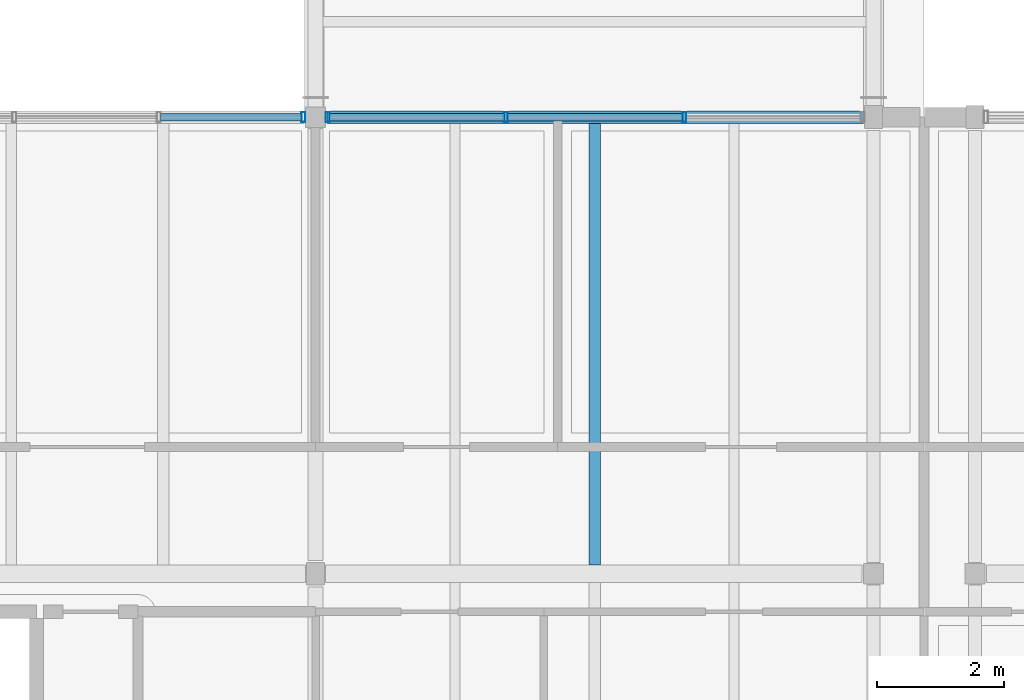
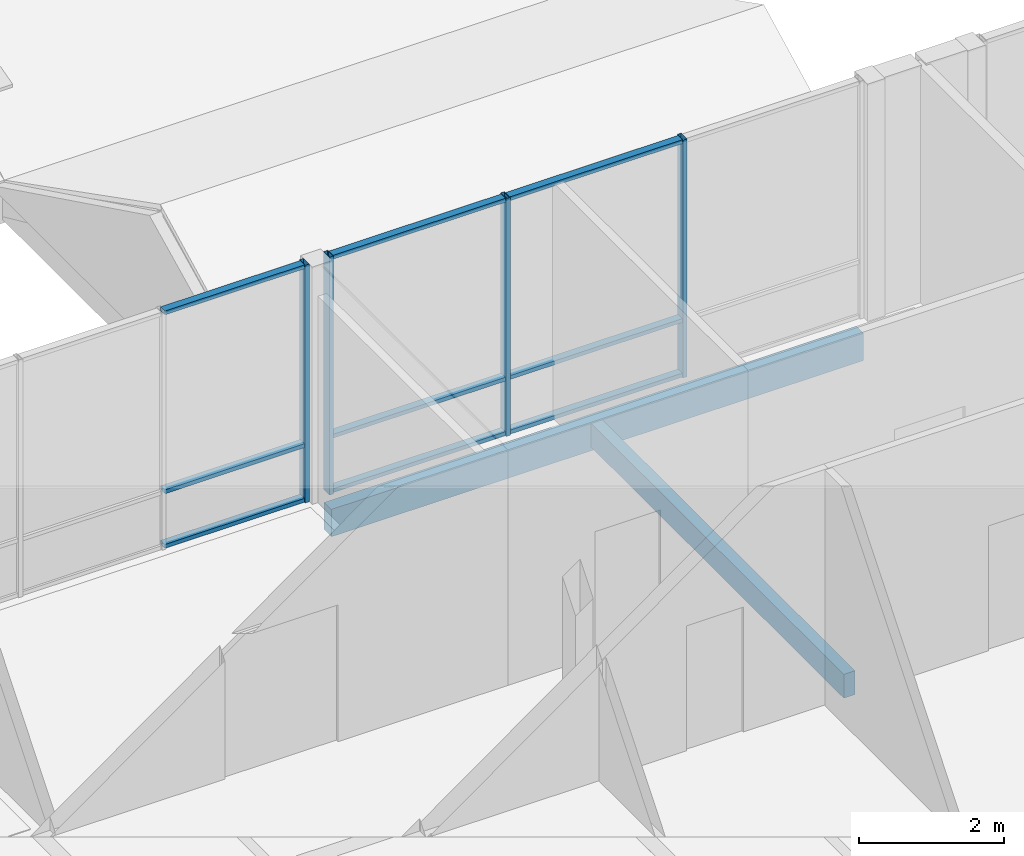
# One storey, part 18 of 115: 13 members, 2 beams, 2 elements without a shape of their own.
"""IFC4 building model written with IfcOpenShell, lengths in metres."""

from ifc_helpers import new_model, si_unit, direction, frame, origin, origin_2d, place, context, subcontext, project, spatial, rectangle, hollow_rectangle, extrude, material, material_profile, profile_set, type_object, element, aggregate, save


model = new_model("IFC4")

# Units and contexts
model_context = context("Model", 3, precision=1e-05, world=origin(), true_north=direction((0.0, 1.0)))
body_context = subcontext(model_context, "Body", "Model", "MODEL_VIEW")
ifc_project = project(units=[si_unit("LENGTHUNIT", "METRE"), si_unit("AREAUNIT", "SQUARE_METRE"), si_unit("VOLUMEUNIT", "CUBIC_METRE"), si_unit("PLANEANGLEUNIT", "RADIAN"), si_unit("MASSUNIT", "GRAM", prefix="KILO")], contexts=[model_context])

# Site, building, storey
site_placement = place(None, origin())
site = spatial("IfcSite", under=ifc_project, at=site_placement, CompositionType="ELEMENT")
building_placement = place(site_placement, origin())
building = spatial("IfcBuilding", under=site, at=building_placement, Name="Hawrajan Terrace Health Centre", CompositionType="ELEMENT")
storey_placement = place(building_placement, frame((0.0, 0.0, 9.0)))
storey = spatial("IfcBuildingStorey", under=building, at=storey_placement, Name="L02", CompositionType="ELEMENT", Elevation=9.0)

# Curtain wall, member
ifc_material_1 = material(Name="Anodized bronze aluminium and low-E solar glazing", Category="aluminium")
curtain_wall_type_1 = type_object("IfcCurtainWallType", Name="CW_Pavilion_SeriesE1", PredefinedType="USERDEFINED", material=ifc_material_1)
curtain_wall_1_placement = place(storey_placement, origin())
curtain_wall_1 = element("IfcCurtainWall", 1, at=curtain_wall_1_placement, inside=storey, type_object=curtain_wall_type_1, Name="Curtain wall CW-L02-132", ObjectType="UNITISED CURTAIN WALL", PredefinedType="USERDEFINED")
ifc_material_2 = material(Name="Anodized bronze aluminium 6063-T6", Category="aluminium")
ifc_material_profile_1 = material_profile(ifc_material_2, hollow_rectangle(XDim=0.06494140625, YDim=0.159912109375, WallThickness=0.00390625, at=origin_2d()), Name="CW MUL 65x160")
ifc_profile_set_1 = profile_set([ifc_material_profile_1], Name="Anodized bronze aluminium 6063-T6")
member_type_1 = type_object("IfcMemberType", Name="CWMullion_65x160", PredefinedType="MULLION", material=ifc_profile_set_1)
member_1_placement = place(storey_placement, frame((62.007568359375, 18.60009765625, -0.0048828125), z_axis=(0.0, 0.0, 1.0), x_axis=(1.0, 0.0, 0.0)))
member_1 = element("IfcMember", 2, at=member_1_placement, type_object=member_type_1, Name="Mullion CW-L02-132-M4", PredefinedType="MULLION", context=body_context, shape_type="SweptSolid", body=[
    extrude(hollow_rectangle(XDim=0.06494140625, YDim=0.159912109375, WallThickness=0.00390625, at=origin_2d()), origin(), (0.0, 0.0, 1.0), 4.0),
])

# Curtain wall, members
curtain_wall_type_2 = type_object("IfcCurtainWallType", Name="CW_Garden_SeriesF2", PredefinedType="USERDEFINED", material=ifc_material_1)
curtain_wall_2_placement = place(storey_placement, origin())
curtain_wall_2 = element("IfcCurtainWall", 3, at=curtain_wall_2_placement, inside=storey, type_object=curtain_wall_type_2, Name="Curtain wall CW-L02-135", ObjectType="UNITISED CURTAIN WALL", PredefinedType="USERDEFINED")
member_2_placement = place(storey_placement, frame((62.392578125, 18.60009765625, -0.0048828125), z_axis=(0.0, 0.0, 1.0), x_axis=(1.0, 0.0, 0.0)))
member_2 = element("IfcMember", 4, at=member_2_placement, type_object=member_type_1, Name="Mullion CW-L02-135-M1", PredefinedType="MULLION", context=body_context, shape_type="SweptSolid", body=[
    extrude(hollow_rectangle(XDim=0.06494140625, YDim=0.159912109375, WallThickness=0.00390625, at=origin_2d()), origin(), (0.0, 0.0, 1.0), 4.0),
])
member_3_placement = place(storey_placement, frame((65.2041015625, 18.60009765625, -0.0048828125), z_axis=(0.0, 0.0, 1.0), x_axis=(1.0, 0.0, 0.0)))
member_3 = element("IfcMember", 5, at=member_3_placement, type_object=member_type_1, Name="Mullion CW-L02-135-M2", PredefinedType="MULLION", context=body_context, shape_type="SweptSolid", body=[
    extrude(hollow_rectangle(XDim=0.06494140625, YDim=0.159912109375, WallThickness=0.00390625, at=origin_2d()), origin(), (0.0, 0.0, 1.0), 4.0),
])
member_4_placement = place(storey_placement, frame((68.015869140625, 18.60009765625, -0.0048828125), z_axis=(0.0, 0.0, 1.0), x_axis=(1.0, 0.0, 0.0)))
member_4 = element("IfcMember", 6, at=member_4_placement, type_object=member_type_1, Name="Mullion CW-L02-135-M3", PredefinedType="MULLION", context=body_context, shape_type="SweptSolid", body=[
    extrude(hollow_rectangle(XDim=0.06494140625, YDim=0.159912109375, WallThickness=0.00390625, at=origin_2d()), origin(), (0.0, 0.0, 1.0), 4.0),
])

# Member
ifc_material_profile_2 = material_profile(ifc_material_2, hollow_rectangle(XDim=0.06494140625, YDim=0.1201171875, WallThickness=0.00341796875, at=origin_2d()), Name="CW TRN 65x120")
ifc_profile_set_2 = profile_set([ifc_material_profile_2], Name="Anodized bronze aluminium 6063-T6")
member_type_2 = type_object("IfcMemberType", Name="CWTransom_65x120", PredefinedType="USERDEFINED", material=ifc_profile_set_2)
member_5_placement = place(storey_placement, frame((59.755615234375, 18.60009765625, 0.032470703125), z_axis=(1.0, 0.0, 0.0), x_axis=(0.0, 0.0, 1.0)))
member_5 = element("IfcMember", 7, at=member_5_placement, type_object=member_type_2, Name="Transom CW-L02-132-T3-1", ObjectType="TRANSOM", PredefinedType="USERDEFINED", context=body_context, shape_type="SweptSolid", body=[
    extrude(hollow_rectangle(XDim=0.06494140625, YDim=0.1201171875, WallThickness=0.00341796875, at=origin_2d()), origin(), (0.0, 0.0, 1.0), 2.225341796875),
])

member_6_placement = place(storey_placement, frame((59.755615234375, 18.60009765625, 0.949951171875), z_axis=(1.0, 0.0, 0.0), x_axis=(0.0, 0.0, 1.0)))
member_6 = element("IfcMember", 8, at=member_6_placement, type_object=member_type_2, Name="Transom CW-L02-132-T3-2", ObjectType="TRANSOM", PredefinedType="USERDEFINED", context=body_context, shape_type="SweptSolid", body=[
    extrude(hollow_rectangle(XDim=0.06494140625, YDim=0.1201171875, WallThickness=0.00341796875, at=origin_2d()), origin(), (0.0, 0.0, 1.0), 2.225341796875),
])

member_7_placement = place(storey_placement, frame((59.755615234375, 18.60009765625, 3.95751953125), z_axis=(1.0, 0.0, 0.0), x_axis=(0.0, 0.0, 1.0)))
member_7 = element("IfcMember", 9, at=member_7_placement, type_object=member_type_2, Name="Transom CW-L02-132-T3-3", ObjectType="TRANSOM", PredefinedType="USERDEFINED", context=body_context, shape_type="SweptSolid", body=[
    extrude(hollow_rectangle(XDim=0.06494140625, YDim=0.1201171875, WallThickness=0.00341796875, at=origin_2d()), origin(), (0.0, 0.0, 1.0), 2.225341796875),
])

aggregate(curtain_wall_1, [member_1, member_5, member_6, member_7])

member_8_placement = place(storey_placement, frame((62.4189453125, 18.60009765625, 0.032470703125), z_axis=(1.0, 0.0, 0.0), x_axis=(0.0, 0.0, 1.0)))
member_8 = element("IfcMember", 10, at=member_8_placement, type_object=member_type_2, Name="Transom CW-L02-135-T1-1", ObjectType="TRANSOM", PredefinedType="USERDEFINED", context=body_context, shape_type="SweptSolid", body=[
    extrude(hollow_rectangle(XDim=0.06494140625, YDim=0.1201171875, WallThickness=0.00341796875, at=origin_2d()), origin(), (0.0, 0.0, 1.0), 2.7587890625),
])

member_9_placement = place(storey_placement, frame((62.4189453125, 18.60009765625, 0.949951171875), z_axis=(1.0, 0.0, 0.0), x_axis=(0.0, 0.0, 1.0)))
member_9 = element("IfcMember", 11, at=member_9_placement, type_object=member_type_2, Name="Transom CW-L02-135-T1-2", ObjectType="TRANSOM", PredefinedType="USERDEFINED", context=body_context, shape_type="SweptSolid", body=[
    extrude(hollow_rectangle(XDim=0.06494140625, YDim=0.1201171875, WallThickness=0.00341796875, at=origin_2d()), origin(), (0.0, 0.0, 1.0), 2.7587890625),
])

member_10_placement = place(storey_placement, frame((62.4189453125, 18.60009765625, 3.95751953125), z_axis=(1.0, 0.0, 0.0), x_axis=(0.0, 0.0, 1.0)))
member_10 = element("IfcMember", 12, at=member_10_placement, type_object=member_type_2, Name="Transom CW-L02-135-T1-3", ObjectType="TRANSOM", PredefinedType="USERDEFINED", context=body_context, shape_type="SweptSolid", body=[
    extrude(hollow_rectangle(XDim=0.06494140625, YDim=0.1201171875, WallThickness=0.00341796875, at=origin_2d()), origin(), (0.0, 0.0, 1.0), 2.7587890625),
])

member_11_placement = place(storey_placement, frame((65.230712890625, 18.60009765625, 0.032470703125), z_axis=(1.0, 0.0, 0.0), x_axis=(0.0, 0.0, 1.0)))
member_11 = element("IfcMember", 13, at=member_11_placement, type_object=member_type_2, Name="Transom CW-L02-135-T2-1", ObjectType="TRANSOM", PredefinedType="USERDEFINED", context=body_context, shape_type="SweptSolid", body=[
    extrude(hollow_rectangle(XDim=0.06494140625, YDim=0.1201171875, WallThickness=0.00341796875, at=origin_2d()), origin(), (0.0, 0.0, 1.0), 2.758544921875),
])

member_12_placement = place(storey_placement, frame((65.230712890625, 18.60009765625, 0.949951171875), z_axis=(1.0, 0.0, 0.0), x_axis=(0.0, 0.0, 1.0)))
member_12 = element("IfcMember", 14, at=member_12_placement, type_object=member_type_2, Name="Transom CW-L02-135-T2-2", ObjectType="TRANSOM", PredefinedType="USERDEFINED", context=body_context, shape_type="SweptSolid", body=[
    extrude(hollow_rectangle(XDim=0.06494140625, YDim=0.1201171875, WallThickness=0.00341796875, at=origin_2d()), origin(), (0.0, 0.0, 1.0), 2.758544921875),
])

member_13_placement = place(storey_placement, frame((65.230712890625, 18.60009765625, 3.95751953125), z_axis=(1.0, 0.0, 0.0), x_axis=(0.0, 0.0, 1.0)))
member_13 = element("IfcMember", 15, at=member_13_placement, type_object=member_type_2, Name="Transom CW-L02-135-T2-3", ObjectType="TRANSOM", PredefinedType="USERDEFINED", context=body_context, shape_type="SweptSolid", body=[
    extrude(hollow_rectangle(XDim=0.06494140625, YDim=0.1201171875, WallThickness=0.00341796875, at=origin_2d()), origin(), (0.0, 0.0, 1.0), 2.758544921875),
])

aggregate(curtain_wall_2, [member_2, member_3, member_4, member_8, member_9, member_10, member_11, member_12, member_13])

# Beams
ifc_material_3 = material(Name="Glulam GL28h", Category="wood")
ifc_material_profile_3 = material_profile(ifc_material_3, rectangle(XDim=0.179931640625, YDim=0.39990234375, at=origin_2d()), Name="GL JST 180x400")
ifc_profile_set_3 = profile_set([ifc_material_profile_3], Name="Glulam GL28h")
beam_type_1 = type_object("IfcBeamType", Name="GlulamJoist_180x400", PredefinedType="JOIST", material=ifc_profile_set_3)
beam_1_placement = place(storey_placement, frame((66.60009765625, 11.5400390625, -0.43994140625), z_axis=(0.0, 1.0, 0.0), x_axis=(-1.0, 0.0, 0.0)))
element("IfcBeam", 16, at=beam_1_placement, inside=storey, type_object=beam_type_1, Name="Secondary joist JST-L02-W-09-2-2", PredefinedType="JOIST", context=body_context, shape_type="SweptSolid", body=[
    extrude(rectangle(XDim=0.179931640625, YDim=0.39990234375, at=origin_2d()), origin(), (0.0, 0.0, 1.0), 6.9599609375),
])
ifc_material_4 = material(Name="Glulam GL32h", Category="wood")
ifc_material_profile_4 = material_profile(ifc_material_4, rectangle(XDim=0.199951171875, YDim=0.4599609375, at=origin_2d()), Name="GL SP 200x460")
ifc_profile_set_4 = profile_set([ifc_material_profile_4], Name="Glulam GL32h")
beam_type_2 = type_object("IfcBeamType", Name="GlulamSpandrel_200x460", PredefinedType="SPANDREL", material=ifc_profile_set_4)
beam_2_placement = place(storey_placement, frame((62.3798828125, 18.60009765625, -0.469970703125), z_axis=(1.0, 0.0, 0.0), x_axis=(0.0, 1.0, 0.0)))
element("IfcBeam", 17, at=beam_2_placement, inside=storey, type_object=beam_type_2, Name="Beam BM-X-L02-W-09-Y3", PredefinedType="SPANDREL", context=body_context, shape_type="SweptSolid", body=[
    extrude(rectangle(XDim=0.199951171875, YDim=0.4599609375, at=origin_2d()), origin(), (0.0, 0.0, 1.0), 8.460205078125),
])

save(model, "model.ifc")
